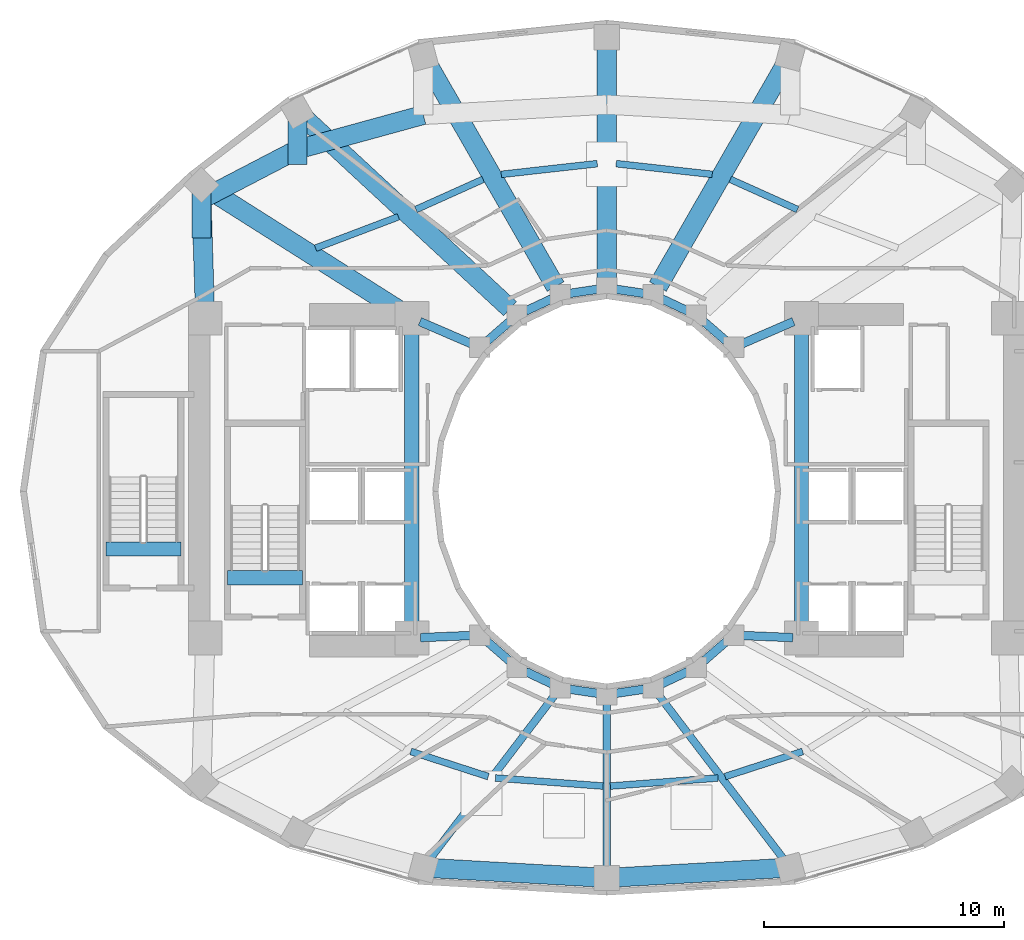
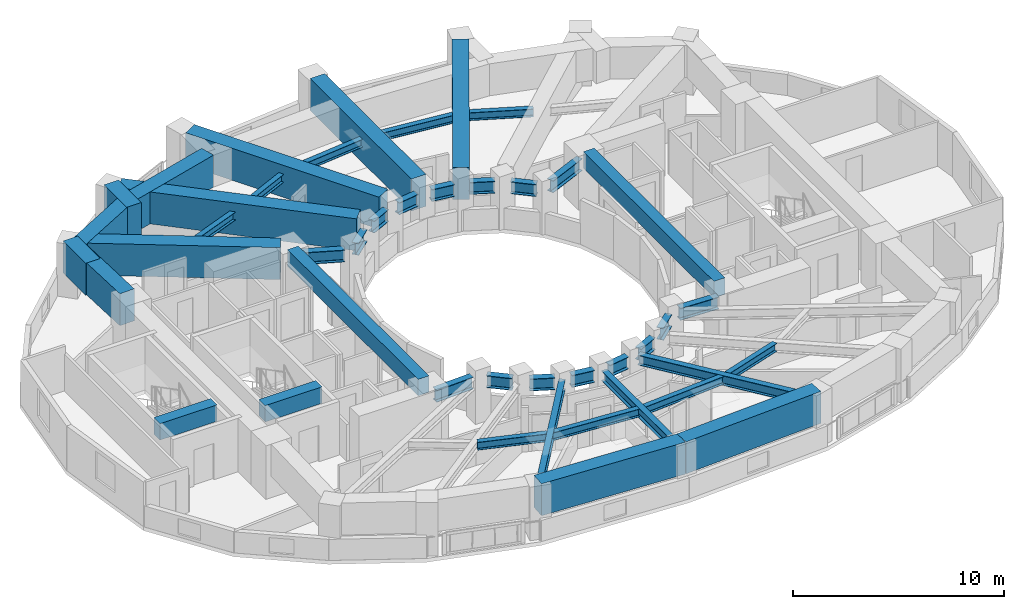
# One storey, part 3 of 16: 44 beams.
"""IFC4 building model written with IfcOpenShell, lengths in metres."""

from ifc_helpers import new_model, si_unit, direction, frame, origin, origin_2d, place, context, subcontext, project, spatial, rectangle, i_section, extrude, material, material_profile, profile_set, type_object, element, save


model = new_model("IFC4")

# Units and contexts
model_context = context("Model", 3, precision=1e-05, world=origin(), true_north=direction((0.0, 1.0)))
body_context = subcontext(model_context, "Body", "Model", "MODEL_VIEW")
ifc_project = project(units=[si_unit("LENGTHUNIT", "METRE"), si_unit("AREAUNIT", "SQUARE_METRE"), si_unit("VOLUMEUNIT", "CUBIC_METRE"), si_unit("PLANEANGLEUNIT", "RADIAN"), si_unit("MASSUNIT", "GRAM", prefix="KILO")], contexts=[model_context])

# Site, building, storey
site_placement = place(None, origin())
site = spatial("IfcSite", under=ifc_project, at=site_placement, CompositionType="ELEMENT")
building_placement = place(site_placement, origin())
building = spatial("IfcBuilding", under=site, at=building_placement, Name="Solvane Sanctuary Tower", CompositionType="ELEMENT")
storey_placement = place(building_placement, frame((0.0, 0.0, 82.5)))
storey = spatial("IfcBuildingStorey", under=building, at=storey_placement, Name="L24", CompositionType="ELEMENT", Elevation=82.5)

# Beams
ifc_material_1 = material(Name="Concrete C70/85", Category="concrete")
ifc_material_profile_1 = material_profile(ifc_material_1, rectangle(XDim=0.60009765625, YDim=0.949951171875, at=origin_2d()), Name="RC600X950")
ifc_profile_set_1 = profile_set([ifc_material_profile_1], Name="Concrete C70/85")
beam_type_1 = type_object("IfcBeamType", Name="Beam B-COUPLE RC600X950", PredefinedType="LINTEL", material=ifc_profile_set_1)
for number, where, z_axis, x_axis, name in (
    (1, (23.89990234375, 17.35009765625, 2.625), (0.0, 1.0, 0.0), (-1.0, 0.0, 0.0), "L24 West Core Coupling Lintel"),
    (2, (40.10009765625, 17.35009765625, 2.625), (0.0, 1.0, 0.0), (-1.0, 0.0, 0.0), "L24 East Core Coupling Lintel"),
):
    element("IfcBeam", number, at=place(storey_placement, frame(where, z_axis=z_axis, x_axis=x_axis)), inside=storey, type_object=beam_type_1, Name=name, PredefinedType="LINTEL", context=body_context, shape_type="SweptSolid", body=[
        extrude(rectangle(XDim=0.60009765625, YDim=0.949951171875, at=origin_2d()), origin(), (0.0, 0.0, 1.0), 12.39990234375),
    ])
for number, where, z_axis, x_axis, name in (
    (3, (16.22998046875, 19.399169921875, 2.625), (1.0, 0.0, 0.0), (0.0, 1.0, 0.0), "L24 ST-1 Stair Floor Landing Trimmer"),
    (4, (11.169921875, 20.59912109375, 2.625), (1.0, 0.0, 0.0), (0.0, 1.0, 0.0), "L24 ST-3 Stair Floor Landing Trimmer"),
):
    element("IfcBeam", number, at=place(storey_placement, frame(where, z_axis=z_axis, x_axis=x_axis)), inside=storey, type_object=beam_type_1, Name=name, PredefinedType="LINTEL", context=body_context, shape_type="SweptSolid", body=[
        extrude(rectangle(XDim=0.60009765625, YDim=0.949951171875, at=origin_2d()), origin(), (0.0, 0.0, 1.0), 3.1201171875),
    ])
ifc_material_2 = material(Name="Steel ASTM A992 Grade 50", Category="steel")
ifc_material_profile_2 = material_profile(ifc_material_2, i_section(OverallWidth=0.31494140625, OverallDepth=0.575927734375, WebThickness=0.01513671875, FlangeThickness=0.0244140625, FilletRadius=0.014892578125, at=origin_2d()), Name="W21X122")
ifc_profile_set_2 = profile_set([ifc_material_profile_2], Name="Steel ASTM A992 Grade 50")
beam_type_2 = type_object("IfcBeamType", Name="Beam B-RAD-Z2 W21X122", PredefinedType="BEAM", material=ifc_profile_set_2)
beam_1_placement = place(storey_placement, frame((29.8994140625, 14.605712890625, 2.31005859375), z_axis=(-0.605972515369, -0.795485581653, 0.0), x_axis=(0.795485581653, -0.605972515369, 0.0)))
element("IfcBeam", 5, at=beam_1_placement, inside=storey, type_object=beam_type_2, Name="L24 Radial Composite Floor Beam 10", PredefinedType="BEAM", context=body_context, shape_type="SweptSolid", body=[
    extrude(i_section(OverallWidth=0.31494140625, OverallDepth=0.575927734375, WebThickness=0.01513671875, FlangeThickness=0.0244140625, FilletRadius=0.014892578125, at=origin_2d()), origin(), (0.0, 0.0, 1.0), 8.84375),
])
beam_2_placement = place(storey_placement, frame((32.0, 14.260009765625, 2.31005859375), z_axis=(0.0, -1.0, 0.0), x_axis=(1.0, 0.0, 0.0)))
element("IfcBeam", 6, at=beam_2_placement, inside=storey, type_object=beam_type_2, Name="L24 Radial Composite Floor Beam 11", PredefinedType="BEAM", context=body_context, shape_type="SweptSolid", body=[
    extrude(i_section(OverallWidth=0.31494140625, OverallDepth=0.575927734375, WebThickness=0.01513671875, FlangeThickness=0.0244140625, FilletRadius=0.014892578125, at=origin_2d()), origin(), (0.0, 0.0, 1.0), 7.06005859375),
])
beam_3_placement = place(storey_placement, frame((34.1005859375, 14.605712890625, 2.31005859375), z_axis=(0.605972515369, -0.795485581653, 0.0), x_axis=(0.795485581653, 0.605972515369, 0.0)))
element("IfcBeam", 7, at=beam_3_placement, inside=storey, type_object=beam_type_2, Name="L24 Radial Composite Floor Beam 12", PredefinedType="BEAM", context=body_context, shape_type="SweptSolid", body=[
    extrude(i_section(OverallWidth=0.31494140625, OverallDepth=0.575927734375, WebThickness=0.01513671875, FlangeThickness=0.0244140625, FilletRadius=0.014892578125, at=origin_2d()), origin(), (0.0, 0.0, 1.0), 8.84375),
])
ifc_material_profile_3 = material_profile(ifc_material_2, i_section(OverallWidth=0.35498046875, OverallDepth=0.695068359375, WebThickness=0.015380859375, FlangeThickness=0.02490234375, FilletRadius=0.01806640625, at=origin_2d()), Name="W27X146")
ifc_profile_set_3 = profile_set([ifc_material_profile_3], Name="Steel ASTM A992 Grade 50")
beam_type_3 = type_object("IfcBeamType", Name="Beam B-RING-IN1 W27X146", PredefinedType="BEAM", material=ifc_profile_set_3)
beam_4_placement = place(storey_placement, frame((24.230712890625, 30.0576171875, 2.25048828125), z_axis=(0.918261456479, -0.3959746173, 0.0), x_axis=(0.3959746173, 0.918261456479, 0.0)))
element("IfcBeam", 8, at=beam_4_placement, inside=storey, type_object=beam_type_3, Name="L24 Inner Light-Well Ring Beam CW3-IC07", PredefinedType="BEAM", context=body_context, shape_type="SweptSolid", body=[
    extrude(i_section(OverallWidth=0.35498046875, OverallDepth=0.695068359375, WebThickness=0.015380859375, FlangeThickness=0.02490234375, FilletRadius=0.01806640625, at=origin_2d()), origin(), (0.0, 0.0, 1.0), 2.3212890625),
])
beam_5_placement = place(storey_placement, frame((27.02294921875, 29.241455078125, 2.25048828125), z_axis=(0.754317177099, 0.656510164684, 0.0), x_axis=(-0.656510164684, 0.754317177099, 0.0)))
element("IfcBeam", 9, at=beam_5_placement, inside=storey, type_object=beam_type_3, Name="L24 Inner Light-Well Ring Beam IC07-IC06", PredefinedType="BEAM", context=body_context, shape_type="SweptSolid", body=[
    extrude(i_section(OverallWidth=0.35498046875, OverallDepth=0.695068359375, WebThickness=0.015380859375, FlangeThickness=0.02490234375, FilletRadius=0.01806640625, at=origin_2d()), origin(), (0.0, 0.0, 1.0), 1.258056640625),
])
beam_6_placement = place(storey_placement, frame((28.62744140625, 30.494384765625, 2.25048828125), z_axis=(0.905044882818, 0.425316070804, 0.0), x_axis=(-0.425316070804, 0.905044882818, 0.0)))
element("IfcBeam", 10, at=beam_6_placement, inside=storey, type_object=beam_type_3, Name="L24 Inner Light-Well Ring Beam IC06-IC05", PredefinedType="BEAM", context=body_context, shape_type="SweptSolid", body=[
    extrude(i_section(OverallWidth=0.35498046875, OverallDepth=0.695068359375, WebThickness=0.015380859375, FlangeThickness=0.02490234375, FilletRadius=0.01806640625, at=origin_2d()), origin(), (0.0, 0.0, 1.0), 1.197998046875),
])
for number, where, z_axis, x_axis, name in (
    (11, (30.4599609375, 31.22998046875, 2.25048828125), (0.989034751611, 0.147682971619, 0.0), (-0.147682971619, 0.989034751611, 0.0), "L24 Inner Light-Well Ring Beam IC05-IC04"),
    (12, (32.390625, 31.401611328125, 2.25048828125), (0.989034751611, -0.147682971619, 0.0), (0.147682971619, 0.989034751611, 0.0), "L24 Inner Light-Well Ring Beam IC04-IC03"),
):
    element("IfcBeam", number, at=place(storey_placement, frame(where, z_axis=z_axis, x_axis=x_axis)), inside=storey, type_object=beam_type_3, Name=name, PredefinedType="BEAM", context=body_context, shape_type="SweptSolid", body=[
        extrude(i_section(OverallWidth=0.35498046875, OverallDepth=0.695068359375, WebThickness=0.015380859375, FlangeThickness=0.02490234375, FilletRadius=0.01806640625, at=origin_2d()), origin(), (0.0, 0.0, 1.0), 1.162109375),
    ])
beam_7_placement = place(storey_placement, frame((34.288330078125, 31.00390625, 2.25048828125), z_axis=(0.905044882818, -0.425316070804, 0.0), x_axis=(0.425316070804, 0.905044882818, 0.0)))
element("IfcBeam", 13, at=beam_7_placement, inside=storey, type_object=beam_type_3, Name="L24 Inner Light-Well Ring Beam IC03-IC02", PredefinedType="BEAM", context=body_context, shape_type="SweptSolid", body=[
    extrude(i_section(OverallWidth=0.35498046875, OverallDepth=0.695068359375, WebThickness=0.015380859375, FlangeThickness=0.02490234375, FilletRadius=0.01806640625, at=origin_2d()), origin(), (0.0, 0.0, 1.0), 1.197998046875),
])
beam_8_placement = place(storey_placement, frame((36.028076171875, 30.0673828125, 2.25048828125), z_axis=(0.754317177099, -0.656510164684, 0.0), x_axis=(0.656510164684, 0.754317177099, 0.0)))
element("IfcBeam", 14, at=beam_8_placement, inside=storey, type_object=beam_type_3, Name="L24 Inner Light-Well Ring Beam IC02-IC01", PredefinedType="BEAM", context=body_context, shape_type="SweptSolid", body=[
    extrude(i_section(OverallWidth=0.35498046875, OverallDepth=0.695068359375, WebThickness=0.015380859375, FlangeThickness=0.02490234375, FilletRadius=0.01806640625, at=origin_2d()), origin(), (0.0, 0.0, 1.0), 1.258056640625),
])
beam_9_placement = place(storey_placement, frame((37.6376953125, 29.138427734375, 2.25048828125), z_axis=(0.918261456479, 0.3959746173, 0.0), x_axis=(-0.3959746173, 0.918261456479, 0.0)))
element("IfcBeam", 15, at=beam_9_placement, inside=storey, type_object=beam_type_3, Name="L24 Inner Light-Well Ring Beam IC01-CE4", PredefinedType="BEAM", context=body_context, shape_type="SweptSolid", body=[
    extrude(i_section(OverallWidth=0.35498046875, OverallDepth=0.695068359375, WebThickness=0.015380859375, FlangeThickness=0.02490234375, FilletRadius=0.01806640625, at=origin_2d()), origin(), (0.0, 0.0, 1.0), 2.3212890625),
])
beam_10_placement = place(storey_placement, frame((24.259765625, 16.9150390625, 2.25048828125), z_axis=(0.999130007788, 0.041704047018, 0.0), x_axis=(-0.041704047018, 0.999130007788, 0.0)))
element("IfcBeam", 16, at=beam_10_placement, inside=storey, type_object=beam_type_3, Name="L24 Inner Light-Well Ring Beam CW2-IC08", PredefinedType="BEAM", context=body_context, shape_type="SweptSolid", body=[
    extrude(i_section(OverallWidth=0.35498046875, OverallDepth=0.695068359375, WebThickness=0.015380859375, FlangeThickness=0.02490234375, FilletRadius=0.01806640625, at=origin_2d()), origin(), (0.0, 0.0, 1.0), 2.072265625),
])
beam_11_placement = place(storey_placement, frame((27.02294921875, 16.758544921875, 2.25048828125), z_axis=(0.754317177099, -0.656510164684, 0.0), x_axis=(0.656510164684, 0.754317177099, 0.0)))
element("IfcBeam", 17, at=beam_11_placement, inside=storey, type_object=beam_type_3, Name="L24 Inner Light-Well Ring Beam IC08-IC09", PredefinedType="BEAM", context=body_context, shape_type="SweptSolid", body=[
    extrude(i_section(OverallWidth=0.35498046875, OverallDepth=0.695068359375, WebThickness=0.015380859375, FlangeThickness=0.02490234375, FilletRadius=0.01806640625, at=origin_2d()), origin(), (0.0, 0.0, 1.0), 1.258056640625),
])
beam_12_placement = place(storey_placement, frame((28.62744140625, 15.505615234375, 2.25048828125), z_axis=(0.905044882818, -0.425316070804, 0.0), x_axis=(0.425316070804, 0.905044882818, 0.0)))
element("IfcBeam", 18, at=beam_12_placement, inside=storey, type_object=beam_type_3, Name="L24 Inner Light-Well Ring Beam IC09-IC10", PredefinedType="BEAM", context=body_context, shape_type="SweptSolid", body=[
    extrude(i_section(OverallWidth=0.35498046875, OverallDepth=0.695068359375, WebThickness=0.015380859375, FlangeThickness=0.02490234375, FilletRadius=0.01806640625, at=origin_2d()), origin(), (0.0, 0.0, 1.0), 1.197998046875),
])
for number, where, z_axis, x_axis, name in (
    (19, (30.4599609375, 14.77001953125, 2.25048828125), (0.989034751611, -0.147682971619, 0.0), (0.147682971619, 0.989034751611, 0.0), "L24 Inner Light-Well Ring Beam IC10-IC11"),
    (20, (32.390625, 14.598388671875, 2.25048828125), (0.989034751611, 0.147682971619, 0.0), (-0.147682971619, 0.989034751611, 0.0), "L24 Inner Light-Well Ring Beam IC11-IC12"),
):
    element("IfcBeam", number, at=place(storey_placement, frame(where, z_axis=z_axis, x_axis=x_axis)), inside=storey, type_object=beam_type_3, Name=name, PredefinedType="BEAM", context=body_context, shape_type="SweptSolid", body=[
        extrude(i_section(OverallWidth=0.35498046875, OverallDepth=0.695068359375, WebThickness=0.015380859375, FlangeThickness=0.02490234375, FilletRadius=0.01806640625, at=origin_2d()), origin(), (0.0, 0.0, 1.0), 1.162109375),
    ])
beam_13_placement = place(storey_placement, frame((34.288330078125, 14.99609375, 2.25048828125), z_axis=(0.905044882818, 0.425316070804, 0.0), x_axis=(-0.425316070804, 0.905044882818, 0.0)))
element("IfcBeam", 21, at=beam_13_placement, inside=storey, type_object=beam_type_3, Name="L24 Inner Light-Well Ring Beam IC12-IC13", PredefinedType="BEAM", context=body_context, shape_type="SweptSolid", body=[
    extrude(i_section(OverallWidth=0.35498046875, OverallDepth=0.695068359375, WebThickness=0.015380859375, FlangeThickness=0.02490234375, FilletRadius=0.01806640625, at=origin_2d()), origin(), (0.0, 0.0, 1.0), 1.197998046875),
])
beam_14_placement = place(storey_placement, frame((36.028076171875, 15.9326171875, 2.25048828125), z_axis=(0.754317177099, 0.656510164684, 0.0), x_axis=(-0.656510164684, 0.754317177099, 0.0)))
element("IfcBeam", 22, at=beam_14_placement, inside=storey, type_object=beam_type_3, Name="L24 Inner Light-Well Ring Beam IC13-IC14", PredefinedType="BEAM", context=body_context, shape_type="SweptSolid", body=[
    extrude(i_section(OverallWidth=0.35498046875, OverallDepth=0.695068359375, WebThickness=0.015380859375, FlangeThickness=0.02490234375, FilletRadius=0.01806640625, at=origin_2d()), origin(), (0.0, 0.0, 1.0), 1.258056640625),
])
beam_15_placement = place(storey_placement, frame((37.669677734375, 17.00146484375, 2.25048828125), z_axis=(0.999130007788, -0.041704047018, 0.0), x_axis=(0.041704047018, 0.999130007788, 0.0)))
element("IfcBeam", 23, at=beam_15_placement, inside=storey, type_object=beam_type_3, Name="L24 Inner Light-Well Ring Beam IC14-CE1", PredefinedType="BEAM", context=body_context, shape_type="SweptSolid", body=[
    extrude(i_section(OverallWidth=0.35498046875, OverallDepth=0.695068359375, WebThickness=0.015380859375, FlangeThickness=0.02490234375, FilletRadius=0.01806640625, at=origin_2d()), origin(), (0.0, 0.0, 1.0), 2.072265625),
])
ifc_material_profile_4 = material_profile(ifc_material_2, i_section(OverallWidth=0.280029296875, OverallDepth=0.462890625, WebThickness=0.0107421875, FlangeThickness=0.017333984375, FilletRadius=0.013916015625, at=origin_2d()), Name="W18X76")
ifc_profile_set_4 = profile_set([ifc_material_profile_4], Name="Steel ASTM A992 Grade 50")
beam_type_4 = type_object("IfcBeamType", Name="Beam B-SEC-JOIST W18X76", PredefinedType="JOIST", material=ifc_profile_set_4)
beam_16_placement = place(storey_placement, frame((19.892822265625, 33.111328125, 2.366455078125), z_axis=(0.935089219038, 0.354412404465, 0.0), x_axis=(-0.354412404465, 0.935089219038, 0.0)))
element("IfcBeam", 24, at=beam_16_placement, inside=storey, type_object=beam_type_4, Name="L24 Secondary Circumferential Joist 07-06", PredefinedType="JOIST", context=body_context, shape_type="SweptSolid", body=[
    extrude(i_section(OverallWidth=0.280029296875, OverallDepth=0.462890625, WebThickness=0.0107421875, FlangeThickness=0.017333984375, FilletRadius=0.013916015625, at=origin_2d()), origin(), (0.0, 0.0, 1.0), 3.6826171875),
])
beam_17_placement = place(storey_placement, frame((24.066162109375, 34.71826171875, 2.366455078125), z_axis=(0.912067614081, 0.41003983629, 0.0), x_axis=(-0.41003983629, 0.912067614081, 0.0)))
element("IfcBeam", 25, at=beam_17_placement, inside=storey, type_object=beam_type_4, Name="L24 Secondary Circumferential Joist 06-05", PredefinedType="JOIST", context=body_context, shape_type="SweptSolid", body=[
    extrude(i_section(OverallWidth=0.280029296875, OverallDepth=0.462890625, WebThickness=0.0107421875, FlangeThickness=0.017333984375, FilletRadius=0.013916015625, at=origin_2d()), origin(), (0.0, 0.0, 1.0), 3.062744140625),
])
for number, where, z_axis, x_axis, name in (
    (26, (27.612548828125, 36.1796875, 2.366455078125), (0.993810933944, 0.111084776519, 0.0), (-0.111084776519, 0.993810933944, 0.0), "L24 Secondary Circumferential Joist 05-04"),
    (27, (32.392578125, 36.626220703125, 2.366455078125), (0.993810933944, -0.111084776519, 0.0), (0.111084776519, 0.993810933944, 0.0), "L24 Secondary Circumferential Joist 04-03"),
):
    element("IfcBeam", number, at=place(storey_placement, frame(where, z_axis=z_axis, x_axis=x_axis)), inside=storey, type_object=beam_type_4, Name=name, PredefinedType="JOIST", context=body_context, shape_type="SweptSolid", body=[
        extrude(i_section(OverallWidth=0.280029296875, OverallDepth=0.462890625, WebThickness=0.0107421875, FlangeThickness=0.017333984375, FilletRadius=0.013916015625, at=origin_2d()), origin(), (0.0, 0.0, 1.0), 4.019775390625),
    ])
beam_18_placement = place(storey_placement, frame((37.140380859375, 35.97412109375, 2.366455078125), z_axis=(0.912067614081, -0.41003983629, 0.0), x_axis=(0.41003983629, 0.912067614081, 0.0)))
element("IfcBeam", 28, at=beam_18_placement, inside=storey, type_object=beam_type_4, Name="L24 Secondary Circumferential Joist 03-02", PredefinedType="JOIST", context=body_context, shape_type="SweptSolid", body=[
    extrude(i_section(OverallWidth=0.280029296875, OverallDepth=0.462890625, WebThickness=0.0107421875, FlangeThickness=0.017333984375, FilletRadius=0.013916015625, at=origin_2d()), origin(), (0.0, 0.0, 1.0), 3.062744140625),
])
beam_19_placement = place(storey_placement, frame((23.850830078125, 12.180908203125, 2.366455078125), z_axis=(0.951216534175, -0.308524075416, 0.0), x_axis=(0.308524075416, 0.951216534175, 0.0)))
element("IfcBeam", 29, at=beam_19_placement, inside=storey, type_object=beam_type_4, Name="L24 Secondary Circumferential Joist 09-10", PredefinedType="JOIST", context=body_context, shape_type="SweptSolid", body=[
    extrude(i_section(OverallWidth=0.280029296875, OverallDepth=0.462890625, WebThickness=0.0107421875, FlangeThickness=0.017333984375, FilletRadius=0.013916015625, at=origin_2d()), origin(), (0.0, 0.0, 1.0), 3.38916015625),
])
for number, where, z_axis, x_axis, name in (
    (30, (27.3720703125, 11.07666015625, 2.366455078125), (0.997207316227, -0.074683120339, 0.0), (0.074683120339, 0.997207316227, 0.0), "L24 Secondary Circumferential Joist 10-11"),
    (31, (32.152099609375, 10.741455078125, 2.366455078125), (0.997207316227, 0.074683120339, 0.0), (-0.074683120339, 0.997207316227, 0.0), "L24 Secondary Circumferential Joist 11-12"),
):
    element("IfcBeam", number, at=place(storey_placement, frame(where, z_axis=z_axis, x_axis=x_axis)), inside=storey, type_object=beam_type_4, Name=name, PredefinedType="JOIST", context=body_context, shape_type="SweptSolid", body=[
        extrude(i_section(OverallWidth=0.280029296875, OverallDepth=0.462890625, WebThickness=0.0107421875, FlangeThickness=0.017333984375, FilletRadius=0.013916015625, at=origin_2d()), origin(), (0.0, 0.0, 1.0), 4.48828125),
    ])
beam_20_placement = place(storey_placement, frame((36.92529296875, 11.13525390625, 2.366455078125), z_axis=(0.951216534175, 0.308524075416, 0.0), x_axis=(-0.308524075416, 0.951216534175, 0.0)))
element("IfcBeam", 32, at=beam_20_placement, inside=storey, type_object=beam_type_4, Name="L24 Secondary Circumferential Joist 12-13", PredefinedType="JOIST", context=body_context, shape_type="SweptSolid", body=[
    extrude(i_section(OverallWidth=0.280029296875, OverallDepth=0.462890625, WebThickness=0.0107421875, FlangeThickness=0.017333984375, FilletRadius=0.013916015625, at=origin_2d()), origin(), (0.0, 0.0, 1.0), 3.38916015625),
])
ifc_material_profile_5 = material_profile(ifc_material_1, rectangle(XDim=0.800048828125, YDim=1.85009765625, at=origin_2d()), Name="RC800X1850")
ifc_profile_set_5 = profile_set([ifc_material_profile_5], Name="Concrete C70/85")
beam_type_5 = type_object("IfcBeamType", Name="Beam B-XFER-BLK RC800X1850", PredefinedType="BEAM", material=ifc_profile_set_5)
beam_21_placement = place(storey_placement, frame((34.12744140625, 31.514404296875, 2.175048828125), z_axis=(0.497811096762, 0.867285484682, 0.0), x_axis=(-0.867285484682, 0.497811096762, 0.0)))
element("IfcBeam", 33, at=beam_21_placement, inside=storey, type_object=beam_type_5, Name="L24 Block-Shift Radial Transfer Girder 03A", PredefinedType="BEAM", context=body_context, shape_type="SweptSolid", body=[
    extrude(rectangle(XDim=0.800048828125, YDim=1.85009765625, at=origin_2d()), origin(), (0.0, 0.0, 1.0), 10.607421875),
])
beam_22_placement = place(storey_placement, frame((32.0, 31.85498046875, 2.175048828125), z_axis=(0.0, 1.0, 0.0), x_axis=(-1.0, 0.0, 0.0)))
element("IfcBeam", 34, at=beam_22_placement, inside=storey, type_object=beam_type_5, Name="L24 Block-Shift Radial Transfer Girder 04A", PredefinedType="BEAM", context=body_context, shape_type="SweptSolid", body=[
    extrude(rectangle(XDim=0.800048828125, YDim=1.85009765625, at=origin_2d()), origin(), (0.0, 0.0, 1.0), 9.6201171875),
])
beam_23_placement = place(storey_placement, frame((29.87255859375, 31.514404296875, 2.175048828125), z_axis=(-0.497811096762, 0.867285484682, 0.0), x_axis=(-0.867285484682, -0.497811096762, 0.0)))
element("IfcBeam", 35, at=beam_23_placement, inside=storey, type_object=beam_type_5, Name="L24 Block-Shift Radial Transfer Girder 05A", PredefinedType="BEAM", context=body_context, shape_type="SweptSolid", body=[
    extrude(rectangle(XDim=0.800048828125, YDim=1.85009765625, at=origin_2d()), origin(), (0.0, 0.0, 1.0), 10.607421875),
])
beam_24_placement = place(storey_placement, frame((27.980224609375, 30.59521484375, 2.175048828125), z_axis=(-0.733470457191, 0.679721331449, 0.0), x_axis=(-0.679721331449, -0.733470457191, 0.0)))
element("IfcBeam", 36, at=beam_24_placement, inside=storey, type_object=beam_type_5, Name="L24 Block-Shift Radial Transfer Girder 06A", PredefinedType="BEAM", context=body_context, shape_type="SweptSolid", body=[
    extrude(rectangle(XDim=0.800048828125, YDim=1.85009765625, at=origin_2d()), origin(), (0.0, 0.0, 1.0), 11.60546875),
])
beam_25_placement = place(storey_placement, frame((19.1416015625, 38.736083984375, 2.175048828125), z_axis=(0.0, -1.0, 0.0), x_axis=(1.0, 0.0, 0.0)))
element("IfcBeam", 37, at=beam_25_placement, inside=storey, type_object=beam_type_5, Name="L24 Block-Shift Transfer Tie 06B", PredefinedType="BEAM", context=body_context, shape_type="SweptSolid", body=[
    extrude(rectangle(XDim=0.800048828125, YDim=1.85009765625, at=origin_2d()), origin(), (0.0, 0.0, 1.0), 2.14990234375),
])
beam_26_placement = place(storey_placement, frame((23.595947265625, 30.392578125, 2.175048828125), z_axis=(-0.844858725229, 0.534989471303, 0.0), x_axis=(-0.534989471303, -0.844858725229, 0.0)))
element("IfcBeam", 38, at=beam_26_placement, inside=storey, type_object=beam_type_5, Name="L24 Block-Shift Radial Transfer Girder 07A", PredefinedType="BEAM", context=body_context, shape_type="SweptSolid", body=[
    extrude(rectangle(XDim=0.800048828125, YDim=1.85009765625, at=origin_2d()), origin(), (0.0, 0.0, 1.0), 9.555419921875),
])
beam_27_placement = place(storey_placement, frame((15.14697265625, 35.69287109375, 2.175048828125), z_axis=(0.0, -1.0, 0.0), x_axis=(1.0, 0.0, 0.0)))
element("IfcBeam", 39, at=beam_27_placement, inside=storey, type_object=beam_type_5, Name="L24 Block-Shift Transfer Tie 07B", PredefinedType="BEAM", context=body_context, shape_type="SweptSolid", body=[
    extrude(rectangle(XDim=0.800048828125, YDim=1.85009765625, at=origin_2d()), origin(), (0.0, 0.0, 1.0), 2.150146484375),
])
beam_28_placement = place(storey_placement, frame((15.288818359375, 30.559814453125, 2.175048828125), z_axis=(-0.030966851139, 0.999520412063, 0.0), x_axis=(-0.999520412063, -0.030966851139, 0.0)))
element("IfcBeam", 40, at=beam_28_placement, inside=storey, type_object=beam_type_5, Name="L24 Perimeter Step Transfer Ring CW4-NTC07", PredefinedType="BEAM", context=body_context, shape_type="SweptSolid", body=[
    extrude(rectangle(XDim=0.800048828125, YDim=1.85009765625, at=origin_2d()), origin(), (0.0, 0.0, 1.0), 4.58056640625),
])
beam_29_placement = place(storey_placement, frame((15.14697265625, 35.13818359375, 2.175048828125), z_axis=(0.887022336415, 0.46172651505, 0.0), x_axis=(-0.46172651505, 0.887022336415, 0.0)))
element("IfcBeam", 41, at=beam_29_placement, inside=storey, type_object=beam_type_5, Name="L24 Perimeter Step Transfer Ring NTC07-NTC06", PredefinedType="BEAM", context=body_context, shape_type="SweptSolid", body=[
    extrude(rectangle(XDim=0.800048828125, YDim=1.85009765625, at=origin_2d()), origin(), (0.0, 0.0, 1.0), 4.50341796875),
])
beam_30_placement = place(storey_placement, frame((19.1416015625, 37.217529296875, 2.175048828125), z_axis=(0.964365802426, 0.264572483661, 0.0), x_axis=(-0.264572483661, 0.964365802426, 0.0)))
element("IfcBeam", 42, at=beam_30_placement, inside=storey, type_object=beam_type_5, Name="L24 Perimeter Step Transfer Ring NTC06-NTC05", PredefinedType="BEAM", context=body_context, shape_type="SweptSolid", body=[
    extrude(rectangle(XDim=0.800048828125, YDim=1.85009765625, at=origin_2d()), origin(), (0.0, 0.0, 1.0), 5.422119140625),
])
for number, where, z_axis, x_axis, name in (
    (43, (24.37060546875, 7.347900390625, 2.175048828125), (0.998430322971, -0.056007947397, 0.0), (0.056007947397, 0.998430322971, 0.0), "L24 Perimeter Step Transfer Ring NTC10-NTC11"),
    (44, (32.0, 6.919921875, 2.175048828125), (0.998430322971, 0.056007947397, 0.0), (-0.056007947397, 0.998430322971, 0.0), "L24 Perimeter Step Transfer Ring NTC11-NTC12"),
):
    element("IfcBeam", number, at=place(storey_placement, frame(where, z_axis=z_axis, x_axis=x_axis)), inside=storey, type_object=beam_type_5, Name=name, PredefinedType="BEAM", context=body_context, shape_type="SweptSolid", body=[
        extrude(rectangle(XDim=0.800048828125, YDim=1.85009765625, at=origin_2d()), origin(), (0.0, 0.0, 1.0), 7.641357421875),
    ])

save(model, "model.ifc")
